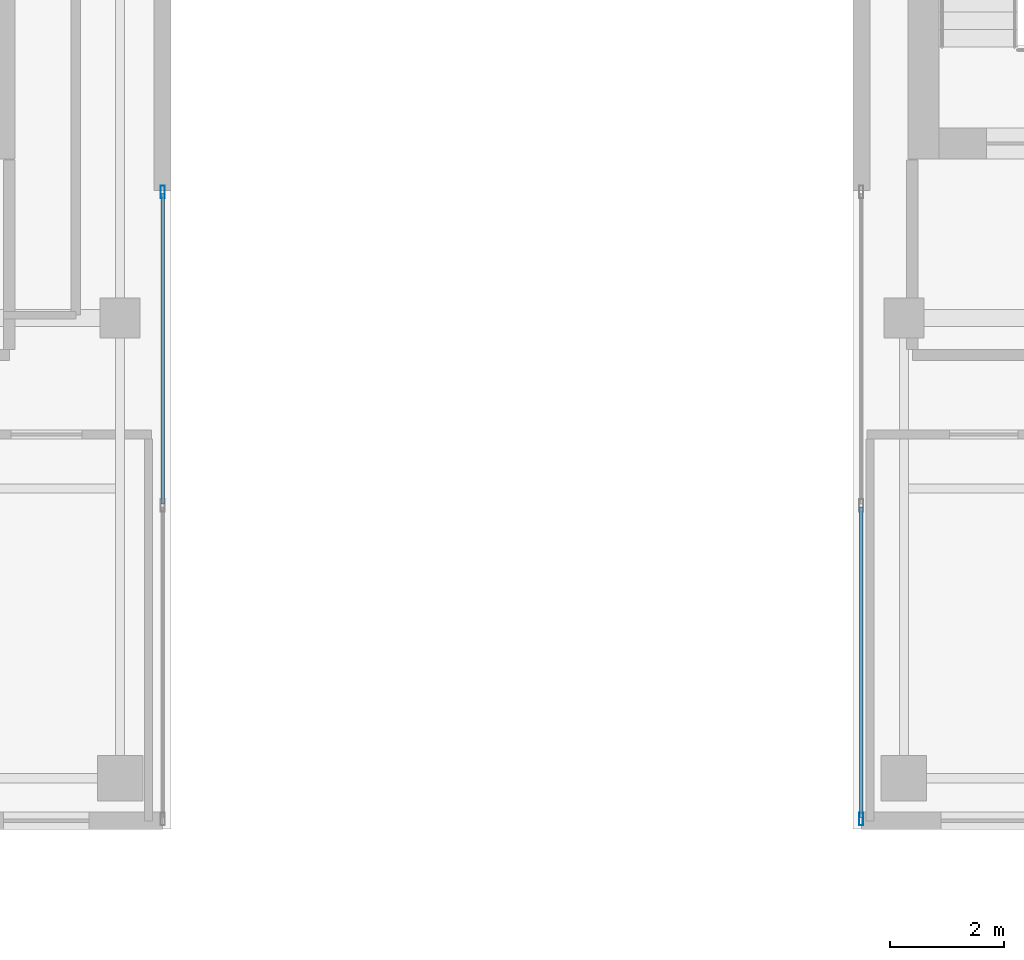
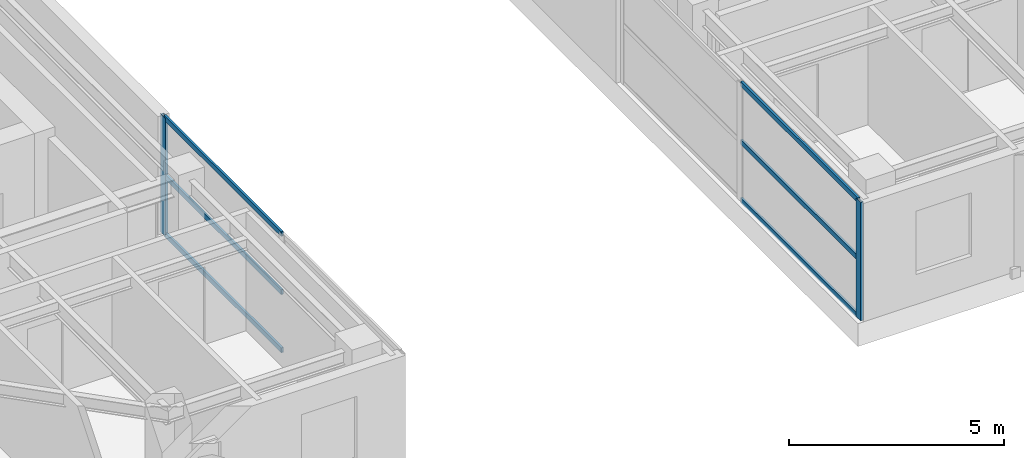
# One storey, part 4 of 24: 8 members, 2 elements without a shape of their own.
"""IFC4 building model written with IfcOpenShell, lengths in metres."""

from ifc_helpers import new_model, si_unit, direction, frame, origin, origin_2d, place, context, subcontext, project, spatial, hollow_rectangle, extrude, source, transform, mapped, material, layer, layer_set, material_profile, profile_set, type_object, element, aggregate, save


model = new_model("IFC4")

# Units and contexts
model_context = context("Model", 3, precision=1e-05, world=origin(), true_north=direction((0.0, 1.0)))
body_context = subcontext(model_context, "Body", "Model", "MODEL_VIEW")
ifc_project = project(units=[si_unit("LENGTHUNIT", "METRE"), si_unit("AREAUNIT", "SQUARE_METRE"), si_unit("VOLUMEUNIT", "CUBIC_METRE"), si_unit("PLANEANGLEUNIT", "RADIAN"), si_unit("MASSUNIT", "GRAM", prefix="KILO")], contexts=[model_context])

# Site, building, storey
site_placement = place(None, origin())
site = spatial("IfcSite", under=ifc_project, at=site_placement, CompositionType="ELEMENT")
building_placement = place(site_placement, origin())
building = spatial("IfcBuilding", under=site, at=building_placement, Name="Khoralis Quay Care Tower", CompositionType="ELEMENT")
storey_placement = place(building_placement, frame((0.0, 0.0, 227.699951171875)))
storey = spatial("IfcBuildingStorey", under=building, at=storey_placement, Name="L59", CompositionType="ELEMENT", Elevation=227.699951171875)

# Curtain wall, member
ifc_material = material(Name="Pale anodised aluminium", Category="aluminium")
ifc_layer = layer(ifc_material, 0.18994140625)
ifc_layer_set = layer_set([ifc_layer], Name="Pale anodised aluminium")
curtain_wall_type = type_object("IfcCurtainWallType", Name="CW-SYS-PORTAL", PredefinedType="NOTDEFINED", material=ifc_layer_set)
curtain_wall_1_placement = place(storey_placement, origin())
curtain_wall_1 = element("IfcCurtainWall", 1, at=curtain_wall_1_placement, inside=storey, type_object=curtain_wall_type, Name="L59 Unitised Curtain Wall CW-VP-L59-P1-S", PredefinedType="NOTDEFINED")
ifc_material_profile_1 = material_profile(ifc_material, hollow_rectangle(XDim=0.074951171875, YDim=0.219970703125, WallThickness=0.00390625, at=origin_2d()), Name="Pale anodised aluminium")
ifc_profile_set_1 = profile_set([ifc_material_profile_1], Name="Pale anodised aluminium")
member_type_1 = type_object("IfcMemberType", Name="CW-MUL-220", PredefinedType="MULLION", material=ifc_profile_set_1)
shared_shape_1 = source(origin(), body_context, "Body", "SweptSolid", [
    extrude(hollow_rectangle(XDim=0.074951171875, YDim=0.219970703125, WallThickness=0.00390625, at=origin_2d()), origin(), (0.0, 0.0, 1.0), 3.360107421875),
])
member_1_placement = place(storey_placement, frame((17.85009765625, 14.219970703125, 0.0), z_axis=(0.0, 0.0, 1.0), x_axis=(-1.0, 0.0, 0.0)))
member_1 = element("IfcMember", 2, at=member_1_placement, type_object=member_type_1, Name="CW4 mullion 3", PredefinedType="MULLION", context=body_context, shape_type="MappedRepresentation", body=[
    mapped(shared_shape_1, transform((0.0, 0.0, 0.0), scale=1.0)),
])

curtain_wall_2_placement = place(storey_placement, origin())
curtain_wall_2 = element("IfcCurtainWall", 3, at=curtain_wall_2_placement, inside=storey, type_object=curtain_wall_type, Name="L59 Unitised Curtain Wall CW-VP-L59-P2-S", PredefinedType="NOTDEFINED")
member_2_placement = place(storey_placement, frame((30.14990234375, 3.179931640625, 0.0), z_axis=(0.0, 0.0, 1.0), x_axis=(-1.0, 0.0, 0.0)))
member_2 = element("IfcMember", 4, at=member_2_placement, type_object=member_type_1, Name="CW4 mullion 1", PredefinedType="MULLION", context=body_context, shape_type="MappedRepresentation", body=[
    mapped(shared_shape_1, transform((0.0, 0.0, 0.0), scale=1.0)),
])

# Member
ifc_material_profile_2 = material_profile(ifc_material, hollow_rectangle(XDim=0.06005859375, YDim=0.139892578125, WallThickness=0.00390625, at=origin_2d()), Name="Pale anodised aluminium")
ifc_profile_set_2 = profile_set([ifc_material_profile_2], Name="Pale anodised aluminium")
member_type_2 = type_object("IfcMemberType", Name="CW-TRN-140", PredefinedType="USERDEFINED", material=ifc_profile_set_2)
shared_shape_2 = source(origin(), body_context, "Body", "SweptSolid", [
    extrude(hollow_rectangle(XDim=0.06005859375, YDim=0.139892578125, WallThickness=0.00390625, at=origin_2d()), origin(), (0.0, 0.0, 1.0), 5.4599609375),
])
member_3_placement = place(storey_placement, frame((17.85009765625, 8.72998046875, 0.030029296875), z_axis=(0.0, 1.0, 0.0), x_axis=(-1.0, 0.0, 0.0)))
member_3 = element("IfcMember", 5, at=member_3_placement, type_object=member_type_2, Name="CW4 transom 2.1", ObjectType="TRANSOM", PredefinedType="USERDEFINED", context=body_context, shape_type="MappedRepresentation", body=[
    mapped(shared_shape_2, transform((0.0, 0.0, 0.0), scale=1.0)),
])

member_4_placement = place(storey_placement, frame((17.85009765625, 8.72998046875, 1.679931640625), z_axis=(0.0, 1.0, 0.0), x_axis=(-1.0, 0.0, 0.0)))
member_4 = element("IfcMember", 6, at=member_4_placement, type_object=member_type_2, Name="CW4 transom 2.2", ObjectType="TRANSOM", PredefinedType="USERDEFINED", context=body_context, shape_type="MappedRepresentation", body=[
    mapped(shared_shape_2, transform((0.0, 0.0, 0.0), scale=1.0)),
])

member_5_placement = place(storey_placement, frame((17.85009765625, 8.72998046875, 3.330078125), z_axis=(0.0, 1.0, 0.0), x_axis=(-1.0, 0.0, 0.0)))
member_5 = element("IfcMember", 7, at=member_5_placement, type_object=member_type_2, Name="CW4 transom 2.3", ObjectType="TRANSOM", PredefinedType="USERDEFINED", context=body_context, shape_type="MappedRepresentation", body=[
    mapped(shared_shape_2, transform((0.0, 0.0, 0.0), scale=1.0)),
])

aggregate(curtain_wall_1, [member_1, member_3, member_4, member_5])

member_6_placement = place(storey_placement, frame((30.14990234375, 3.2099609375, 0.030029296875), z_axis=(0.0, 1.0, 0.0), x_axis=(-1.0, 0.0, 0.0)))
member_6 = element("IfcMember", 8, at=member_6_placement, type_object=member_type_2, Name="CW4 transom 1.1", ObjectType="TRANSOM", PredefinedType="USERDEFINED", context=body_context, shape_type="MappedRepresentation", body=[
    mapped(shared_shape_2, transform((0.0, 0.0, 0.0), scale=1.0)),
])

member_7_placement = place(storey_placement, frame((30.14990234375, 3.2099609375, 1.679931640625), z_axis=(0.0, 1.0, 0.0), x_axis=(-1.0, 0.0, 0.0)))
member_7 = element("IfcMember", 9, at=member_7_placement, type_object=member_type_2, Name="CW4 transom 1.2", ObjectType="TRANSOM", PredefinedType="USERDEFINED", context=body_context, shape_type="MappedRepresentation", body=[
    mapped(shared_shape_2, transform((0.0, 0.0, 0.0), scale=1.0)),
])

member_8_placement = place(storey_placement, frame((30.14990234375, 3.2099609375, 3.330078125), z_axis=(0.0, 1.0, 0.0), x_axis=(-1.0, 0.0, 0.0)))
member_8 = element("IfcMember", 10, at=member_8_placement, type_object=member_type_2, Name="CW4 transom 1.3", ObjectType="TRANSOM", PredefinedType="USERDEFINED", context=body_context, shape_type="MappedRepresentation", body=[
    mapped(shared_shape_2, transform((0.0, 0.0, 0.0), scale=1.0)),
])

aggregate(curtain_wall_2, [member_2, member_6, member_7, member_8])

save(model, "model.ifc")
